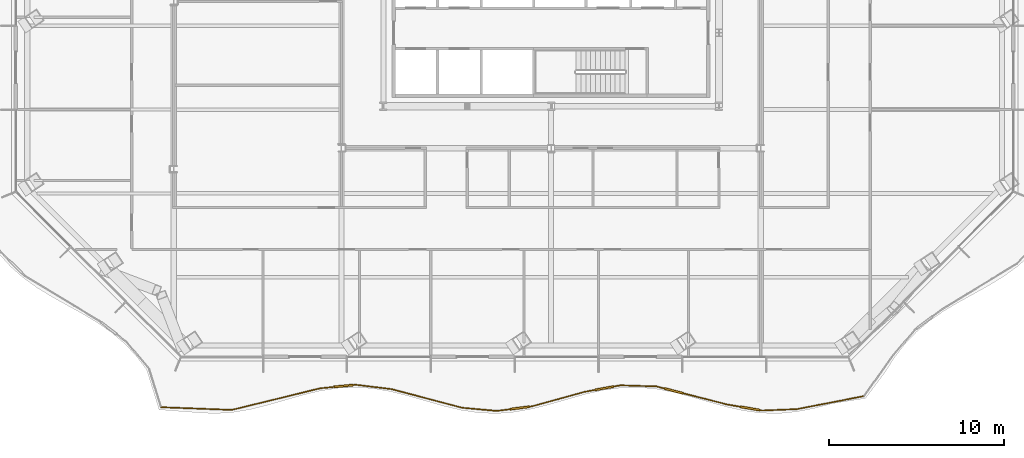
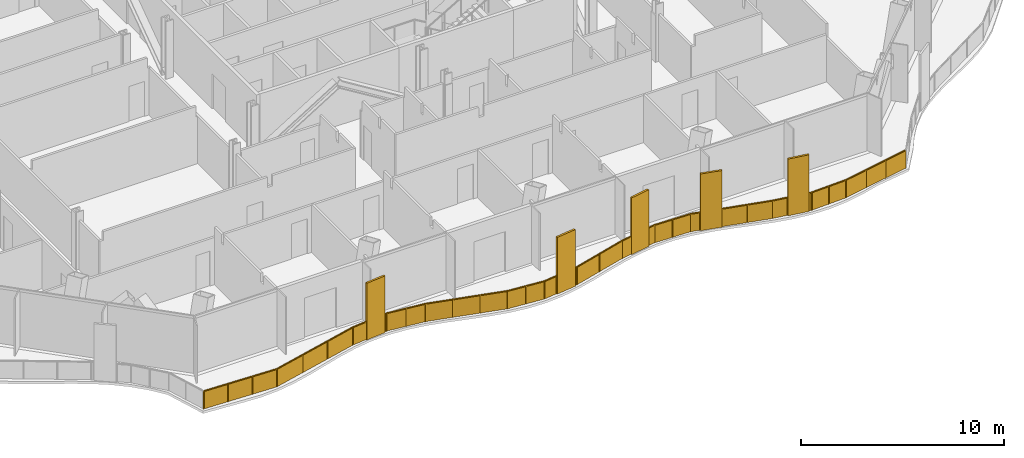
# One storey, part 15 of 22: 1 railing.
"""IFC4 building model written with IfcOpenShell, lengths in metres."""

from ifc_helpers import new_model, si_unit, direction, frame, origin, origin_2d, place, context, subcontext, project, spatial, polyline, rectangle, outline, extrude, material, type_object, element, save


model = new_model("IFC4")

# Units and contexts
model_context = context("Model", 3, precision=1e-05, world=origin(), true_north=direction((0.0, 1.0)))
body_context = subcontext(model_context, "Body", "Model", "MODEL_VIEW")
ifc_project = project(units=[si_unit("LENGTHUNIT", "METRE"), si_unit("AREAUNIT", "SQUARE_METRE"), si_unit("VOLUMEUNIT", "CUBIC_METRE"), si_unit("PLANEANGLEUNIT", "RADIAN"), si_unit("MASSUNIT", "GRAM", prefix="KILO")], contexts=[model_context])

# Site, building, storey
site_placement = place(None, origin())
site = spatial("IfcSite", under=ifc_project, at=site_placement, CompositionType="ELEMENT")
building_placement = place(site_placement, origin())
building = spatial("IfcBuilding", under=site, at=building_placement, Name="Cairn Pilgrim Tower", CompositionType="ELEMENT")
storey_placement = place(building_placement, frame((0.0, 0.0, 105.0)))
storey = spatial("IfcBuildingStorey", under=building, at=storey_placement, Name="L25", CompositionType="ELEMENT", Elevation=105.0)

# Railing
ifc_material = material(Name="Bronze anodised aluminium rail, posts and fin screens with laminated glass infill", Category="aluminium")
railing_type = type_object("IfcRailingType", Name="BALCONY GUARD WITH FIN SCREENS", PredefinedType="GUARDRAIL", material=ifc_material)
railing_placement = place(storey_placement, frame((-15.127197265625, -23.225830078125, 0.0)))
element("IfcRailing", 1, at=railing_placement, inside=storey, type_object=railing_type, Name="Balcony guard BGF-1 with fin screens", PredefinedType="GUARDRAIL", context=body_context, shape_type="SweptSolid", body=[
    extrude(rectangle(XDim=0.050048828125, YDim=0.050048828125, at=origin_2d()), frame((0.0, 0.0, 1.0751953125), z_axis=(0.999279625134, -0.037950372763, 0.0), x_axis=(0.037950372763, 0.999279625134, 0.0)), (0.0, 0.0, 1.0), 4.059326171875),
    extrude(rectangle(XDim=0.050048828125, YDim=0.050048828125, at=origin_2d()), frame((4.056396484375, -0.154052734375, 1.0751953125), z_axis=(0.971320368438, 0.237774560997, 0.0), x_axis=(-0.237774560997, 0.971320368438, 0.0)), (0.0, 0.0, 1.0), 5.19140625),
    extrude(rectangle(XDim=1.10009765625, YDim=0.110107421875, at=origin_2d()), frame((10.450439453125, 1.215087890625, 0.0), z_axis=(0.0, 0.0, 1.0), x_axis=(0.995059478864, 0.099280579784, 0.0)), (0.0, 0.0, 1.0), 3.39990234375),
    extrude(rectangle(XDim=0.050048828125, YDim=0.050048828125, at=origin_2d()), frame((9.098876953125, 1.080322265625, 1.0751953125), z_axis=(0.995059478864, 0.099280579784, 0.0), x_axis=(-0.099280579784, 0.995059478864, 0.0)), (0.0, 0.0, 1.0), 0.80810546875),
    extrude(rectangle(XDim=0.050048828125, YDim=0.050048828125, at=origin_2d()), frame((10.99755859375, 1.269775390625, 1.0751953125), z_axis=(0.995059478864, 0.099280579784, 0.0), x_axis=(-0.099280579784, 0.995059478864, 0.0)), (0.0, 0.0, 1.0), 0.150146484375),
    extrude(rectangle(XDim=0.050048828125, YDim=0.050048828125, at=origin_2d()), frame((11.14697265625, 1.28466796875, 1.0751953125), z_axis=(0.992673253093, -0.12082968424, 0.0), x_axis=(0.12082968424, 0.992673253093, 0.0)), (0.0, 0.0, 1.0), 2.06298828125),
    extrude(rectangle(XDim=0.050048828125, YDim=0.050048828125, at=origin_2d()), frame((13.19482421875, 1.035400390625, 1.0751953125), z_axis=(0.966850887577, -0.255341655811, 0.0), x_axis=(0.255341655811, 0.966850887577, 0.0)), (0.0, 0.0, 1.0), 4.17822265625),
    extrude(rectangle(XDim=0.050048828125, YDim=0.050048828125, at=origin_2d()), frame((17.234619140625, -0.031494140625, 1.0751953125), z_axis=(0.995890204437, -0.090568762311, 0.0), x_axis=(0.090568762311, 0.995890204437, 0.0)), (0.0, 0.0, 1.0), 2.000244140625),
    extrude(rectangle(XDim=1.10009765625, YDim=0.110107421875, at=origin_2d()), frame((20.526611328125, -0.043212890625, 0.0), z_axis=(0.0, 0.0, 1.0), x_axis=(0.99162408565, 0.129157550145, 0.0)), (0.0, 0.0, 1.0), 3.39990234375),
    extrude(rectangle(XDim=0.050048828125, YDim=0.050048828125, at=origin_2d()), frame((19.2265625, -0.212646484375, 1.0751953125), z_axis=(0.99162408565, 0.129157550145, 0.0), x_axis=(-0.129157550145, 0.99162408565, 0.0)), (0.0, 0.0, 1.0), 0.76123046875),
    extrude(rectangle(XDim=0.050048828125, YDim=0.050048828125, at=origin_2d()), frame((21.072021484375, 0.02783203125, 1.0751953125), z_axis=(0.99162408565, 0.129157550145, 0.0), x_axis=(-0.129157550145, 0.99162408565, 0.0)), (0.0, 0.0, 1.0), 0.150146484375),
    extrude(rectangle(XDim=0.050048828125, YDim=0.050048828125, at=origin_2d()), frame((21.220947265625, 0.047119140625, 1.0751953125), z_axis=(0.963997427811, 0.265911562695, 0.0), x_axis=(-0.265911562695, 0.963997427811, 0.0)), (0.0, 0.0, 1.0), 3.140869140625),
    extrude(rectangle(XDim=1.10009765625, YDim=0.110107421875, at=origin_2d()), frame((25.366943359375, 1.08544921875, 0.0), z_axis=(0.0, 0.0, 1.0), x_axis=(0.983883074468, 0.178813019031, 0.0)), (0.0, 0.0, 1.0), 3.39990234375),
    extrude(rectangle(XDim=0.050048828125, YDim=0.050048828125, at=origin_2d()), frame((24.248779296875, 0.88232421875, 1.0751953125), z_axis=(0.983883074468, 0.178813019031, 0.0), x_axis=(-0.178813019031, 0.983883074468, 0.0)), (0.0, 0.0, 1.0), 0.586669921875),
    extrude(rectangle(XDim=0.050048828125, YDim=0.050048828125, at=origin_2d()), frame((25.908203125, 1.183837890625, 1.0751953125), z_axis=(0.983883074468, 0.178813019031, 0.0), x_axis=(-0.178813019031, 0.983883074468, 0.0)), (0.0, 0.0, 1.0), 0.39013671875),
    extrude(rectangle(XDim=0.050048828125, YDim=0.050048828125, at=origin_2d()), frame((26.2919921875, 1.253662109375, 1.0751953125), z_axis=(0.99952623219, -0.030778420418, 0.0), x_axis=(0.030778420418, 0.99952623219, 0.0)), (0.0, 0.0, 1.0), 2.054443359375),
    extrude(rectangle(XDim=1.10009765625, YDim=0.110107421875, at=origin_2d()), frame((29.343505859375, 0.93603515625, 0.0), z_axis=(0.0, 0.0, 1.0), x_axis=(0.969044118646, -0.246887618396, 0.0)), (0.0, 0.0, 1.0), 3.39990234375),
    extrude(rectangle(XDim=0.050048828125, YDim=0.050048828125, at=origin_2d()), frame((28.345458984375, 1.1904296875, 1.0751953125), z_axis=(0.969044118646, -0.246887618396, 0.0), x_axis=(0.246887618396, 0.969044118646, 0.0)), (0.0, 0.0, 1.0), 0.47998046875),
    extrude(rectangle(XDim=0.050048828125, YDim=0.050048828125, at=origin_2d()), frame((29.876708984375, 0.80029296875, 1.0751953125), z_axis=(0.969044118646, -0.246887618396, 0.0), x_axis=(0.246887618396, 0.969044118646, 0.0)), (0.0, 0.0, 1.0), 2.601806640625),
    extrude(rectangle(XDim=1.10009765625, YDim=0.110107421875, at=origin_2d()), frame((33.707763671875, -0.0703125, 0.0), z_axis=(0.0, 0.0, 1.0), x_axis=(0.985157852493, -0.171650824848, 0.0)), (0.0, 0.0, 1.0), 3.39990234375),
    extrude(rectangle(XDim=0.050048828125, YDim=0.050048828125, at=origin_2d()), frame((32.39794921875, 0.157958984375, 1.0751953125), z_axis=(0.985157852493, -0.171650824848, 0.0), x_axis=(0.171650824848, 0.985157852493, 0.0)), (0.0, 0.0, 1.0), 0.779541015625),
    extrude(rectangle(XDim=0.050048828125, YDim=0.050048828125, at=origin_2d()), frame((34.249755859375, -0.164794921875, 1.0751953125), z_axis=(0.985157852493, -0.171650824848, 0.0), x_axis=(0.171650824848, 0.985157852493, 0.0)), (0.0, 0.0, 1.0), 0.150146484375),
    extrude(rectangle(XDim=0.050048828125, YDim=0.050048828125, at=origin_2d()), frame((34.3974609375, -0.1904296875, 1.0751953125), z_axis=(0.999194299141, 0.040134181989, 0.0), x_axis=(-0.040134181989, 0.999194299141, 0.0)), (0.0, 0.0, 1.0), 1.995361328125),
    extrude(rectangle(XDim=0.050048828125, YDim=0.050048828125, at=origin_2d()), frame((36.39111328125, -0.1103515625, 1.0751953125), z_axis=(0.981594628963, 0.190976397471, 0.0), x_axis=(-0.190976397471, 0.981594628963, 0.0)), (0.0, 0.0, 1.0), 3.85693359375),
    extrude(rectangle(XDim=0.050048828125, YDim=0.050048828125, at=origin_2d()), origin(), (0.0, 0.0, 1.0), 1.050048828125),
    extrude(rectangle(XDim=0.050048828125, YDim=0.050048828125, at=origin_2d()), frame((1.35205078125, -0.05126953125, 0.0)), (0.0, 0.0, 1.0), 1.050048828125),
    extrude(rectangle(XDim=0.050048828125, YDim=0.050048828125, at=origin_2d()), frame((2.704345703125, -0.102783203125, 0.0)), (0.0, 0.0, 1.0), 1.050048828125),
    extrude(rectangle(XDim=0.050048828125, YDim=0.050048828125, at=origin_2d()), frame((4.056396484375, -0.154052734375, 0.0)), (0.0, 0.0, 1.0), 1.050048828125),
    extrude(rectangle(XDim=0.050048828125, YDim=0.050048828125, at=origin_2d()), frame((5.7373046875, 0.25732421875, 0.0)), (0.0, 0.0, 1.0), 1.050048828125),
    extrude(rectangle(XDim=0.050048828125, YDim=0.050048828125, at=origin_2d()), frame((7.41796875, 0.6689453125, 0.0)), (0.0, 0.0, 1.0), 1.050048828125),
    extrude(rectangle(XDim=0.050048828125, YDim=0.050048828125, at=origin_2d()), frame((9.098876953125, 1.080322265625, 0.0)), (0.0, 0.0, 1.0), 1.050048828125),
    extrude(rectangle(XDim=0.050048828125, YDim=0.050048828125, at=origin_2d()), frame((9.878173828125, 1.157958984375, 0.0)), (0.0, 0.0, 1.0), 1.050048828125),
    extrude(rectangle(XDim=0.050048828125, YDim=0.050048828125, at=origin_2d()), frame((11.0224609375, 1.272216796875, 0.0)), (0.0, 0.0, 1.0), 1.050048828125),
    extrude(rectangle(XDim=0.050048828125, YDim=0.050048828125, at=origin_2d()), frame((11.14697265625, 1.28466796875, 0.0)), (0.0, 0.0, 1.0), 1.050048828125),
    extrude(rectangle(XDim=0.050048828125, YDim=0.050048828125, at=origin_2d()), frame((12.1708984375, 1.16015625, 0.0)), (0.0, 0.0, 1.0), 1.050048828125),
    extrude(rectangle(XDim=0.050048828125, YDim=0.050048828125, at=origin_2d()), frame((13.19482421875, 1.035400390625, 0.0)), (0.0, 0.0, 1.0), 1.050048828125),
    extrude(rectangle(XDim=0.050048828125, YDim=0.050048828125, at=origin_2d()), frame((14.54150390625, 0.6796875, 0.0)), (0.0, 0.0, 1.0), 1.050048828125),
    extrude(rectangle(XDim=0.050048828125, YDim=0.050048828125, at=origin_2d()), frame((15.887939453125, 0.32421875, 0.0)), (0.0, 0.0, 1.0), 1.050048828125),
    extrude(rectangle(XDim=0.050048828125, YDim=0.050048828125, at=origin_2d()), frame((17.234619140625, -0.031494140625, 0.0)), (0.0, 0.0, 1.0), 1.050048828125),
    extrude(rectangle(XDim=0.050048828125, YDim=0.050048828125, at=origin_2d()), frame((18.23046875, -0.1220703125, 0.0)), (0.0, 0.0, 1.0), 1.050048828125),
    extrude(rectangle(XDim=0.050048828125, YDim=0.050048828125, at=origin_2d()), frame((19.2265625, -0.212646484375, 0.0)), (0.0, 0.0, 1.0), 1.050048828125),
    extrude(rectangle(XDim=0.050048828125, YDim=0.050048828125, at=origin_2d()), frame((19.95654296875, -0.11767578125, 0.0)), (0.0, 0.0, 1.0), 1.050048828125),
    extrude(rectangle(XDim=0.050048828125, YDim=0.050048828125, at=origin_2d()), frame((21.096923828125, 0.031005859375, 0.0)), (0.0, 0.0, 1.0), 1.050048828125),
    extrude(rectangle(XDim=0.050048828125, YDim=0.050048828125, at=origin_2d()), frame((21.220947265625, 0.047119140625, 0.0)), (0.0, 0.0, 1.0), 1.050048828125),
    extrude(rectangle(XDim=0.050048828125, YDim=0.050048828125, at=origin_2d()), frame((22.73486328125, 0.464599609375, 0.0)), (0.0, 0.0, 1.0), 1.050048828125),
    extrude(rectangle(XDim=0.050048828125, YDim=0.050048828125, at=origin_2d()), frame((24.248779296875, 0.88232421875, 0.0)), (0.0, 0.0, 1.0), 1.050048828125),
    extrude(rectangle(XDim=0.050048828125, YDim=0.050048828125, at=origin_2d()), frame((24.80126953125, 0.982666015625, 0.0)), (0.0, 0.0, 1.0), 1.050048828125),
    extrude(rectangle(XDim=0.050048828125, YDim=0.050048828125, at=origin_2d()), frame((25.932861328125, 1.1884765625, 0.0)), (0.0, 0.0, 1.0), 1.050048828125),
    extrude(rectangle(XDim=0.050048828125, YDim=0.050048828125, at=origin_2d()), frame((26.2919921875, 1.253662109375, 0.0)), (0.0, 0.0, 1.0), 1.050048828125),
    extrude(rectangle(XDim=0.050048828125, YDim=0.050048828125, at=origin_2d()), frame((27.31884765625, 1.22216796875, 0.0)), (0.0, 0.0, 1.0), 1.050048828125),
    extrude(rectangle(XDim=0.050048828125, YDim=0.050048828125, at=origin_2d()), frame((28.345458984375, 1.1904296875, 0.0)), (0.0, 0.0, 1.0), 1.050048828125),
    extrude(rectangle(XDim=0.050048828125, YDim=0.050048828125, at=origin_2d()), frame((28.786376953125, 1.078125, 0.0)), (0.0, 0.0, 1.0), 1.050048828125),
    extrude(rectangle(XDim=0.050048828125, YDim=0.050048828125, at=origin_2d()), frame((29.90087890625, 0.794189453125, 0.0)), (0.0, 0.0, 1.0), 1.050048828125),
    extrude(rectangle(XDim=0.050048828125, YDim=0.050048828125, at=origin_2d()), frame((31.1494140625, 0.47607421875, 0.0)), (0.0, 0.0, 1.0), 1.050048828125),
    extrude(rectangle(XDim=0.050048828125, YDim=0.050048828125, at=origin_2d()), frame((32.39794921875, 0.157958984375, 0.0)), (0.0, 0.0, 1.0), 1.050048828125),
    extrude(rectangle(XDim=0.050048828125, YDim=0.050048828125, at=origin_2d()), frame((33.141357421875, 0.0283203125, 0.0)), (0.0, 0.0, 1.0), 1.050048828125),
    extrude(rectangle(XDim=0.050048828125, YDim=0.050048828125, at=origin_2d()), frame((34.2744140625, -0.1689453125, 0.0)), (0.0, 0.0, 1.0), 1.050048828125),
    extrude(rectangle(XDim=0.050048828125, YDim=0.050048828125, at=origin_2d()), frame((34.3974609375, -0.1904296875, 0.0)), (0.0, 0.0, 1.0), 1.050048828125),
    extrude(rectangle(XDim=0.050048828125, YDim=0.050048828125, at=origin_2d()), frame((35.394287109375, -0.150390625, 0.0)), (0.0, 0.0, 1.0), 1.050048828125),
    extrude(rectangle(XDim=0.050048828125, YDim=0.050048828125, at=origin_2d()), frame((36.39111328125, -0.1103515625, 0.0)), (0.0, 0.0, 1.0), 1.050048828125),
    extrude(rectangle(XDim=0.050048828125, YDim=0.050048828125, at=origin_2d()), frame((37.653076171875, 0.13525390625, 0.0)), (0.0, 0.0, 1.0), 1.050048828125),
    extrude(rectangle(XDim=0.050048828125, YDim=0.050048828125, at=origin_2d()), frame((38.9150390625, 0.380615234375, 0.0)), (0.0, 0.0, 1.0), 1.050048828125),
    extrude(rectangle(XDim=0.050048828125, YDim=0.050048828125, at=origin_2d()), frame((40.177001953125, 0.626220703125, 0.0)), (0.0, 0.0, 1.0), 1.050048828125),
    extrude(outline(polyline([(0.02490234375, 0.0), (1.328125, 0.0), (1.328125, 1.050048828125), (0.02490234375, 1.050048828125), (0.02490234375, 0.0)])), frame((0.000244140625, 0.005859375, 0.0), z_axis=(-0.037950372763, -0.999279625134, 0.0), x_axis=(0.999279625134, -0.037950372763, 0.0)), (0.0, 0.0, 1.0), 0.011962890625),
    extrude(outline(polyline([(0.02490234375, 0.0), (1.328125, 0.0), (1.328125, 1.050048828125), (0.02490234375, 1.050048828125), (0.02490234375, 0.0)])), frame((1.352294921875, -0.04541015625, 0.0), z_axis=(-0.037950372763, -0.999279625134, 0.0), x_axis=(0.999279625134, -0.037950372763, 0.0)), (0.0, 0.0, 1.0), 0.011962890625),
    extrude(outline(polyline([(0.02490234375, 0.0), (1.328125, 0.0), (1.328125, 1.050048828125), (0.02490234375, 1.050048828125), (0.02490234375, 0.0)])), frame((2.70458984375, -0.0966796875, 0.0), z_axis=(-0.037950372763, -0.999279625134, 0.0), x_axis=(0.999279625134, -0.037950372763, 0.0)), (0.0, 0.0, 1.0), 0.011962890625),
    extrude(outline(polyline([(0.02490234375, 0.0), (1.705322265625, 0.0), (1.705322265625, 1.050048828125), (0.02490234375, 1.050048828125), (0.02490234375, 0.0)])), frame((4.054931640625, -0.148193359375, 0.0), z_axis=(0.237774560997, -0.971320368438, 0.0), x_axis=(0.971320368438, 0.237774560997, 0.0)), (0.0, 0.0, 1.0), 0.011962890625),
    extrude(outline(polyline([(0.02490234375, 0.0), (1.705322265625, 0.0), (1.705322265625, 1.050048828125), (0.02490234375, 1.050048828125), (0.02490234375, 0.0)])), frame((5.73583984375, 0.26318359375, 0.0), z_axis=(0.237774560997, -0.971320368438, 0.0), x_axis=(0.971320368438, 0.237774560997, 0.0)), (0.0, 0.0, 1.0), 0.011962890625),
    extrude(outline(polyline([(0.02490234375, 0.0), (1.705322265625, 0.0), (1.705322265625, 1.050048828125), (0.02490234375, 1.050048828125), (0.02490234375, 0.0)])), frame((7.416748046875, 0.674560546875, 0.0), z_axis=(0.237774560997, -0.971320368438, 0.0), x_axis=(0.971320368438, 0.237774560997, 0.0)), (0.0, 0.0, 1.0), 0.011962890625),
    extrude(outline(polyline([(0.02490234375, 0.0), (0.758056640625, 0.0), (0.758056640625, 1.050048828125), (0.02490234375, 1.050048828125), (0.02490234375, 0.0)])), frame((9.098388671875, 1.086181640625, 0.0), z_axis=(0.099280579784, -0.995059478864, 0.0), x_axis=(0.995059478864, 0.099280579784, 0.0)), (0.0, 0.0, 1.0), 0.011962890625),
    extrude(outline(polyline([(0.02490234375, 0.0), (0.10009765625, 0.0), (0.10009765625, 1.050048828125), (0.02490234375, 1.050048828125), (0.02490234375, 0.0)])), frame((11.02197265625, 1.2783203125, 0.0), z_axis=(0.099280579784, -0.995059478864, 0.0), x_axis=(0.995059478864, 0.099280579784, 0.0)), (0.0, 0.0, 1.0), 0.011962890625),
    extrude(outline(polyline([(0.02490234375, 0.0), (1.00634765625, 0.0), (1.00634765625, 1.050048828125), (0.02490234375, 1.050048828125), (0.02490234375, 0.0)])), frame((11.147705078125, 1.29052734375, 0.0), z_axis=(-0.12082968424, -0.992673253093, 0.0), x_axis=(0.992673253093, -0.12082968424, 0.0)), (0.0, 0.0, 1.0), 0.011962890625),
    extrude(outline(polyline([(0.02490234375, 0.0), (1.00634765625, 0.0), (1.00634765625, 1.050048828125), (0.02490234375, 1.050048828125), (0.02490234375, 0.0)])), frame((12.171630859375, 1.166015625, 0.0), z_axis=(-0.12082968424, -0.992673253093, 0.0), x_axis=(0.992673253093, -0.12082968424, 0.0)), (0.0, 0.0, 1.0), 0.011962890625),
    extrude(outline(polyline([(0.02490234375, 0.0), (1.36767578125, 0.0), (1.36767578125, 1.050048828125), (0.02490234375, 1.050048828125), (0.02490234375, 0.0)])), frame((13.1962890625, 1.041259765625, 0.0), z_axis=(-0.255341655811, -0.966850887577, 0.0), x_axis=(0.966850887577, -0.255341655811, 0.0)), (0.0, 0.0, 1.0), 0.011962890625),
    extrude(outline(polyline([(0.02490234375, 0.0), (1.36767578125, 0.0), (1.36767578125, 1.050048828125), (0.02490234375, 1.050048828125), (0.02490234375, 0.0)])), frame((14.54296875, 0.685546875, 0.0), z_axis=(-0.255341655811, -0.966850887577, 0.0), x_axis=(0.966850887577, -0.255341655811, 0.0)), (0.0, 0.0, 1.0), 0.011962890625),
    extrude(outline(polyline([(0.02490234375, 0.0), (1.36767578125, 0.0), (1.36767578125, 1.050048828125), (0.02490234375, 1.050048828125), (0.02490234375, 0.0)])), frame((15.8896484375, 0.329833984375, 0.0), z_axis=(-0.255341655811, -0.966850887577, 0.0), x_axis=(0.966850887577, -0.255341655811, 0.0)), (0.0, 0.0, 1.0), 0.011962890625),
    extrude(outline(polyline([(0.02490234375, 0.0), (0.97509765625, 0.0), (0.97509765625, 1.050048828125), (0.02490234375, 1.050048828125), (0.02490234375, 0.0)])), frame((17.235107421875, -0.025634765625, 0.0), z_axis=(-0.090568762311, -0.995890204437, 0.0), x_axis=(0.995890204437, -0.090568762311, 0.0)), (0.0, 0.0, 1.0), 0.011962890625),
    extrude(outline(polyline([(0.02490234375, 0.0), (0.97509765625, 0.0), (0.97509765625, 1.050048828125), (0.02490234375, 1.050048828125), (0.02490234375, 0.0)])), frame((18.231201171875, -0.1162109375, 0.0), z_axis=(-0.090568762311, -0.995890204437, 0.0), x_axis=(0.995890204437, -0.090568762311, 0.0)), (0.0, 0.0, 1.0), 0.011962890625),
    extrude(outline(polyline([(0.02490234375, 0.0), (0.711181640625, 0.0), (0.711181640625, 1.050048828125), (0.02490234375, 1.050048828125), (0.02490234375, 0.0)])), frame((19.225830078125, -0.206787109375, 0.0), z_axis=(0.129157550145, -0.99162408565, 0.0), x_axis=(0.99162408565, 0.129157550145, 0.0)), (0.0, 0.0, 1.0), 0.011962890625),
    extrude(outline(polyline([(0.02490234375, 0.0), (0.10009765625, 0.0), (0.10009765625, 1.050048828125), (0.02490234375, 1.050048828125), (0.02490234375, 0.0)])), frame((21.09619140625, 0.036865234375, 0.0), z_axis=(0.129157550145, -0.99162408565, 0.0), x_axis=(0.99162408565, 0.129157550145, 0.0)), (0.0, 0.0, 1.0), 0.011962890625),
    extrude(outline(polyline([(0.02490234375, 0.0), (1.54541015625, 0.0), (1.54541015625, 1.050048828125), (0.02490234375, 1.050048828125), (0.02490234375, 0.0)])), frame((21.21923828125, 0.052978515625, 0.0), z_axis=(0.265911562695, -0.963997427811, 0.0), x_axis=(0.963997427811, 0.265911562695, 0.0)), (0.0, 0.0, 1.0), 0.011962890625),
    extrude(outline(polyline([(0.02490234375, 0.0), (1.54541015625, 0.0), (1.54541015625, 1.050048828125), (0.02490234375, 1.050048828125), (0.02490234375, 0.0)])), frame((22.733154296875, 0.470458984375, 0.0), z_axis=(0.265911562695, -0.963997427811, 0.0), x_axis=(0.963997427811, 0.265911562695, 0.0)), (0.0, 0.0, 1.0), 0.011962890625),
    extrude(outline(polyline([(0.02490234375, 0.0), (0.53662109375, 0.0), (0.53662109375, 1.050048828125), (0.02490234375, 1.050048828125), (0.02490234375, 0.0)])), frame((24.247802734375, 0.88818359375, 0.0), z_axis=(0.178813019031, -0.983883074468, 0.0), x_axis=(0.983883074468, 0.178813019031, 0.0)), (0.0, 0.0, 1.0), 0.011962890625),
    extrude(outline(polyline([(0.02490234375, 0.0), (0.340087890625, 0.0), (0.340087890625, 1.050048828125), (0.02490234375, 1.050048828125), (0.02490234375, 0.0)])), frame((25.931640625, 1.1943359375, 0.0), z_axis=(0.178813019031, -0.983883074468, 0.0), x_axis=(0.983883074468, 0.178813019031, 0.0)), (0.0, 0.0, 1.0), 0.011962890625),
    extrude(outline(polyline([(0.02490234375, 0.0), (1.002197265625, 0.0), (1.002197265625, 1.050048828125), (0.02490234375, 1.050048828125), (0.02490234375, 0.0)])), frame((26.292236328125, 1.259521484375, 0.0), z_axis=(-0.030778420418, -0.99952623219, 0.0), x_axis=(0.99952623219, -0.030778420418, 0.0)), (0.0, 0.0, 1.0), 0.011962890625),
    extrude(outline(polyline([(0.02490234375, 0.0), (1.002197265625, 0.0), (1.002197265625, 1.050048828125), (0.02490234375, 1.050048828125), (0.02490234375, 0.0)])), frame((27.31884765625, 1.22802734375, 0.0), z_axis=(-0.030778420418, -0.99952623219, 0.0), x_axis=(0.99952623219, -0.030778420418, 0.0)), (0.0, 0.0, 1.0), 0.011962890625),
    extrude(outline(polyline([(0.02490234375, 0.0), (0.429931640625, 0.0), (0.429931640625, 1.050048828125), (0.02490234375, 1.050048828125), (0.02490234375, 0.0)])), frame((28.346923828125, 1.1962890625, 0.0), z_axis=(-0.246887618396, -0.969044118646, 0.0), x_axis=(0.969044118646, -0.246887618396, 0.0)), (0.0, 0.0, 1.0), 0.011962890625),
    extrude(outline(polyline([(0.02490234375, 0.0), (1.263427734375, 0.0), (1.263427734375, 1.050048828125), (0.02490234375, 1.050048828125), (0.02490234375, 0.0)])), frame((29.90234375, 0.800048828125, 0.0), z_axis=(-0.246887618396, -0.969044118646, 0.0), x_axis=(0.969044118646, -0.246887618396, 0.0)), (0.0, 0.0, 1.0), 0.011962890625),
    extrude(outline(polyline([(0.02490234375, 0.0), (1.263427734375, 0.0), (1.263427734375, 1.050048828125), (0.02490234375, 1.050048828125), (0.02490234375, 0.0)])), frame((31.15087890625, 0.48193359375, 0.0), z_axis=(-0.246887618396, -0.969044118646, 0.0), x_axis=(0.969044118646, -0.246887618396, 0.0)), (0.0, 0.0, 1.0), 0.011962890625),
    extrude(outline(polyline([(0.02490234375, 0.0), (0.7294921875, 0.0), (0.7294921875, 1.050048828125), (0.02490234375, 1.050048828125), (0.02490234375, 0.0)])), frame((32.39892578125, 0.163818359375, 0.0), z_axis=(-0.171650824848, -0.985157852493, 0.0), x_axis=(0.985157852493, -0.171650824848, 0.0)), (0.0, 0.0, 1.0), 0.011962890625),
    extrude(outline(polyline([(0.02490234375, 0.0), (0.10009765625, 0.0), (0.10009765625, 1.050048828125), (0.02490234375, 1.050048828125), (0.02490234375, 0.0)])), frame((34.275390625, -0.1630859375, 0.0), z_axis=(-0.171650824848, -0.985157852493, 0.0), x_axis=(0.985157852493, -0.171650824848, 0.0)), (0.0, 0.0, 1.0), 0.011962890625),
    extrude(outline(polyline([(0.02490234375, 0.0), (0.97265625, 0.0), (0.97265625, 1.050048828125), (0.02490234375, 1.050048828125), (0.02490234375, 0.0)])), frame((34.397216796875, -0.1845703125, 0.0), z_axis=(0.040134181989, -0.999194299141, 0.0), x_axis=(0.999194299141, 0.040134181989, 0.0)), (0.0, 0.0, 1.0), 0.011962890625),
    extrude(outline(polyline([(0.02490234375, 0.0), (0.97265625, 0.0), (0.97265625, 1.050048828125), (0.02490234375, 1.050048828125), (0.02490234375, 0.0)])), frame((35.39404296875, -0.14453125, 0.0), z_axis=(0.040134181989, -0.999194299141, 0.0), x_axis=(0.999194299141, 0.040134181989, 0.0)), (0.0, 0.0, 1.0), 0.011962890625),
    extrude(outline(polyline([(0.02490234375, 0.0), (1.260498046875, 0.0), (1.260498046875, 1.050048828125), (0.02490234375, 1.050048828125), (0.02490234375, 0.0)])), frame((36.389892578125, -0.1044921875, 0.0), z_axis=(0.190976397471, -0.981594628963, 0.0), x_axis=(0.981594628963, 0.190976397471, 0.0)), (0.0, 0.0, 1.0), 0.011962890625),
    extrude(outline(polyline([(0.02490234375, 0.0), (1.260498046875, 0.0), (1.260498046875, 1.050048828125), (0.02490234375, 1.050048828125), (0.02490234375, 0.0)])), frame((37.65185546875, 0.14111328125, 0.0), z_axis=(0.190976397471, -0.981594628963, 0.0), x_axis=(0.981594628963, 0.190976397471, 0.0)), (0.0, 0.0, 1.0), 0.011962890625),
    extrude(outline(polyline([(0.02490234375, 0.0), (1.260498046875, 0.0), (1.260498046875, 1.050048828125), (0.02490234375, 1.050048828125), (0.02490234375, 0.0)])), frame((38.913818359375, 0.386474609375, 0.0), z_axis=(0.190976397471, -0.981594628963, 0.0), x_axis=(0.981594628963, 0.190976397471, 0.0)), (0.0, 0.0, 1.0), 0.011962890625),
])

save(model, "model.ifc")
